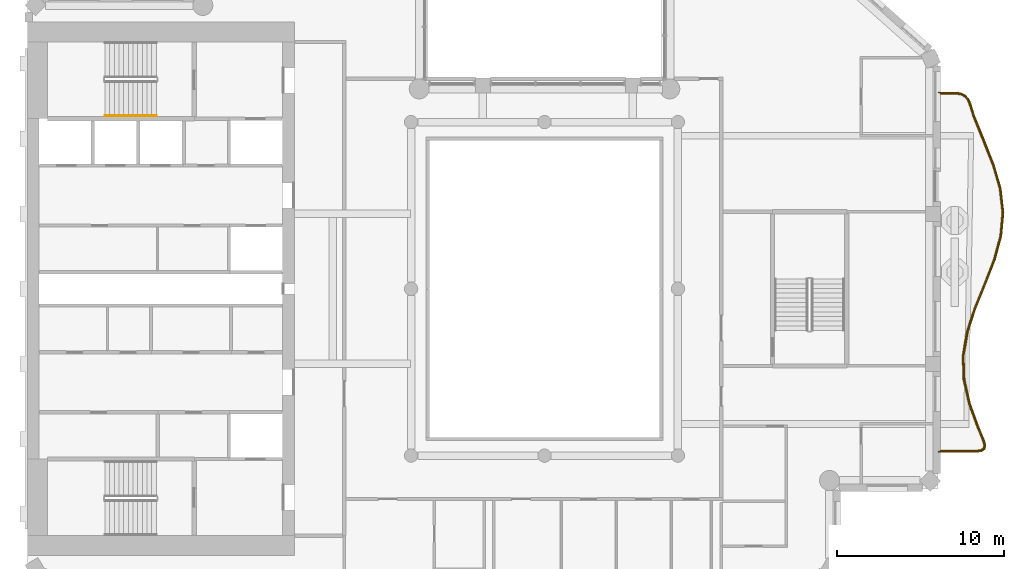
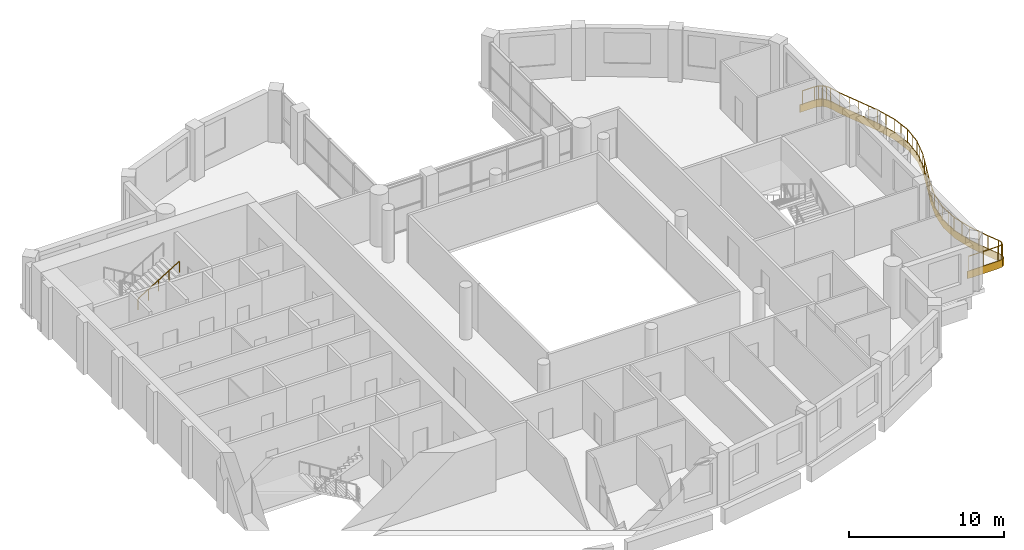
# One storey, part 12 of 14: 2 railings, 1 covering.
"""IFC4 building model written with IfcOpenShell, lengths in metres."""

from ifc_helpers import new_model, si_unit, direction, frame, origin, origin_2d, place, context, subcontext, project, spatial, polyline, rectangle, outline, extrude, material, layer, layer_set, type_object, element, save


model = new_model("IFC4")

# Units and contexts
model_context = context("Model", 3, precision=1e-05, world=origin(), true_north=direction((0.0, 1.0)))
body_context = subcontext(model_context, "Body", "Model", "MODEL_VIEW")
ifc_project = project(units=[si_unit("LENGTHUNIT", "METRE"), si_unit("AREAUNIT", "SQUARE_METRE"), si_unit("VOLUMEUNIT", "CUBIC_METRE"), si_unit("PLANEANGLEUNIT", "RADIAN"), si_unit("MASSUNIT", "GRAM", prefix="KILO")], contexts=[model_context])

# Site, building, storey
site_placement = place(None, origin())
site = spatial("IfcSite", under=ifc_project, at=site_placement, CompositionType="ELEMENT")
building_placement = place(site_placement, origin())
building = spatial("IfcBuilding", under=site, at=building_placement, Name="Cypress Arch Tower", CompositionType="ELEMENT")
storey_placement = place(building_placement, frame((0.0, 0.0, 325.39990234375)))
storey = spatial("IfcBuildingStorey", under=building, at=storey_placement, Name="L74", CompositionType="ELEMENT", Elevation=325.39990234375)

# Covering
ifc_material_1 = material(Name="White powder-coated aluminium fascia", Category="aluminium")
ifc_layer = layer(ifc_material_1, 0.050048828125)
ifc_layer_set = layer_set([ifc_layer], Name="Balcony fascia BF50")
covering_type = type_object("IfcCoveringType", Name="Balcony fascia BF50", PredefinedType="CLADDING", material=ifc_layer_set)
covering_placement = place(storey_placement, frame((0.0, 0.0, -0.599853515625)))
element("IfcCovering", 1, at=covering_placement, inside=storey, type_object=covering_type, Name="Balcony fascia L74-C17", PredefinedType="CLADDING", context=body_context, shape_type="SweptSolid", body=[
    extrude(outline(polyline([(25.64404296875, 11.800048828125), (25.9638671875, 11.75830078125), (26.228759765625, 11.629638671875), (26.4306640625, 11.41552734375), (26.566650390625, 11.123046875), (26.814697265625, 10.33349609375), (27.395263671875, 8.90185546875), (27.96533203125, 7.46630859375), (28.385009765625, 6.026611328125), (28.5498046875, 4.583984375), (28.418701171875, 3.14111328125), (28.0244140625, 1.700927734375), (27.46484375, 0.264892578125), (26.878173828125, -1.167236328125), (26.407470703125, -2.595458984375), (26.167236328125, -4.02001953125), (26.215087890625, -5.443603515625), (26.539794921875, -6.869140625), (27.06298828125, -8.298583984375), (27.390869140625, -9.089111328125), (27.468017578125, -9.386474609375), (27.41357421875, -9.618408203125), (27.22021484375, -9.757568359375), (26.915771484375, -9.800048828125), (24.60107421875, -9.800048828125), (24.60107421875, -9.75), (26.912353515625, -9.75), (27.201171875, -9.709716796875), (27.369140625, -9.5888671875), (27.41650390625, -9.38720703125), (27.34326171875, -9.10498046875), (27.016357421875, -8.316650390625), (26.491943359375, -6.88330078125), (26.165283203125, -5.449951171875), (26.116943359375, -4.0166015625), (26.358642578125, -2.583251953125), (26.8310546875, -1.14990234375), (27.41845703125, 0.283447265625), (27.976806640625, 1.716552734375), (28.369140625, 3.14990234375), (28.49951171875, 4.583251953125), (28.335693359375, 6.0166015625), (27.91796875, 7.449951171875), (27.348876953125, 8.88330078125), (26.767578125, 10.316650390625), (26.519775390625, 11.10498046875), (26.388916015625, 11.38720703125), (26.19873046875, 11.5888671875), (25.949462890625, 11.709716796875), (25.640869140625, 11.75), (24.60107421875, 11.75), (24.60107421875, 11.800048828125), (25.64404296875, 11.800048828125)])), origin(), (0.0, 0.0, 1.0), 0.599853515625),
])

# Railings
ifc_material_2 = material(Name="Powder-coated steel posts and rods, 100 mm clear between rods", Category="steel")
railing_type_1 = type_object("IfcRailingType", Name="Balcony guard GR1100", PredefinedType="GUARDRAIL", material=ifc_material_2)
railing_1_placement = place(storey_placement, frame((24.75, 11.699951171875, 0.0)))
element("IfcRailing", 2, at=railing_1_placement, inside=storey, type_object=railing_type_1, Name="Balcony guard L74-C17", PredefinedType="GUARDRAIL", context=body_context, shape_type="SweptSolid", body=[
    extrude(rectangle(XDim=0.050048828125, YDim=0.050048828125, at=origin_2d()), frame((0.0, 0.0, 1.0751953125), z_axis=(1.0, 0.0, 0.0), x_axis=(0.0, 1.0, 0.0)), (0.0, 0.0, 1.0), 0.8876953125),
    extrude(rectangle(XDim=0.050048828125, YDim=0.050048828125, at=origin_2d()), frame((0.8876953125, 0.0, 1.0751953125), z_axis=(0.991573129253, -0.12954817383, 0.0), x_axis=(0.12954817383, 0.991573129253, 0.0)), (0.0, 0.0, 1.0), 0.299560546875),
    extrude(rectangle(XDim=0.050048828125, YDim=0.050048828125, at=origin_2d()), frame((1.184814453125, -0.038818359375, 1.0751953125), z_axis=(0.899992841382, -0.43590467474, 0.0), x_axis=(0.43590467474, 0.899992841382, 0.0)), (0.0, 0.0, 1.0), 0.259765625),
    extrude(rectangle(XDim=0.050048828125, YDim=0.050048828125, at=origin_2d()), frame((1.418701171875, -0.152099609375, 1.0751953125), z_axis=(0.686126590577, -0.7274821659, 0.0), x_axis=(0.7274821659, 0.686126590577, 0.0)), (0.0, 0.0, 1.0), 0.259765625),
    extrude(rectangle(XDim=0.050048828125, YDim=0.050048828125, at=origin_2d()), frame((1.596923828125, -0.341064453125, 1.0751953125), z_axis=(0.420967760608, -0.907075600228, 0.0), x_axis=(0.907075600228, 0.420967760608, 0.0)), (0.0, 0.0, 1.0), 0.2998046875),
    extrude(rectangle(XDim=0.050048828125, YDim=0.050048828125, at=origin_2d()), frame((1.72314453125, -0.613037109375, 1.0751953125), z_axis=(0.300026630765, -0.95393082602, 0.0), x_axis=(0.95393082602, 0.300026630765, 0.0)), (0.0, 0.0, 1.0), 0.8251953125),
    extrude(rectangle(XDim=0.050048828125, YDim=0.050048828125, at=origin_2d()), frame((1.970703125, -1.400146484375, 1.0751953125), z_axis=(0.375708768396, -0.92673778457, 0.0), x_axis=(0.92673778457, 0.375708768396, 0.0)), (0.0, 0.0, 1.0), 1.548583984375),
    extrude(rectangle(XDim=0.050048828125, YDim=0.050048828125, at=origin_2d()), frame((2.552490234375, -2.835205078125, 1.0751953125), z_axis=(0.369010788967, -0.92942511136, 0.0), x_axis=(0.92942511136, 0.369010788967, 0.0)), (0.0, 0.0, 1.0), 1.53955078125),
    extrude(rectangle(XDim=0.050048828125, YDim=0.050048828125, at=origin_2d()), frame((3.12060546875, -4.26611328125, 1.0751953125), z_axis=(0.279880161806, -0.960034944691, 0.0), x_axis=(0.960034944691, 0.279880161806, 0.0)), (0.0, 0.0, 1.0), 1.486328125),
    extrude(rectangle(XDim=0.050048828125, YDim=0.050048828125, at=origin_2d()), frame((3.53662109375, -5.693115234375, 1.0751953125), z_axis=(0.113440905264, -0.99354474535, 0.0), x_axis=(0.99354474535, 0.113440905264, 0.0)), (0.0, 0.0, 1.0), 1.433349609375),
    extrude(rectangle(XDim=0.050048828125, YDim=0.050048828125, at=origin_2d()), frame((3.69921875, -7.1171875, 1.0751953125), z_axis=(-0.09050495248, -0.995896005402, 0.0), x_axis=(0.995896005402, -0.09050495248, 0.0)), (0.0, 0.0, 1.0), 1.4296875),
    extrude(rectangle(XDim=0.050048828125, YDim=0.050048828125, at=origin_2d()), frame((3.56982421875, -8.541015625, 1.0751953125), z_axis=(-0.264108945089, -0.964492853848, 0.0), x_axis=(0.964492853848, -0.264108945089, 0.0)), (0.0, 0.0, 1.0), 1.47900390625),
    extrude(rectangle(XDim=0.050048828125, YDim=0.050048828125, at=origin_2d()), frame((3.17919921875, -9.967529296875, 1.0751953125), z_axis=(-0.362929728688, -0.931816511999, 0.0), x_axis=(0.931816511999, -0.362929728688, 0.0)), (0.0, 0.0, 1.0), 1.53515625),
    extrude(rectangle(XDim=0.050048828125, YDim=0.050048828125, at=origin_2d()), frame((2.6220703125, -11.39794921875, 1.0751953125), z_axis=(-0.3791968939, -0.925316008538, 0.0), x_axis=(0.925316008538, -0.3791968939, 0.0)), (0.0, 0.0, 1.0), 1.55029296875),
    extrude(rectangle(XDim=0.050048828125, YDim=0.050048828125, at=origin_2d()), frame((2.0341796875, -12.83251953125, 1.0751953125), z_axis=(-0.312986464134, -0.949757586581, 0.0), x_axis=(0.949757586581, -0.312986464134, 0.0)), (0.0, 0.0, 1.0), 1.514892578125),
    extrude(rectangle(XDim=0.050048828125, YDim=0.050048828125, at=origin_2d()), frame((1.56005859375, -14.271240234375, 1.0751953125), z_axis=(-0.166266551895, -0.986080845428, 0.0), x_axis=(0.986080845428, -0.166266551895, 0.0)), (0.0, 0.0, 1.0), 1.46240234375),
    extrude(rectangle(XDim=0.050048828125, YDim=0.050048828125, at=origin_2d()), frame((1.31689453125, -15.71337890625, 1.0751953125), z_axis=(0.033646983963, -0.999433779933, 0.0), x_axis=(0.999433779933, 0.033646983963, 0.0)), (0.0, 0.0, 1.0), 1.44384765625),
    extrude(rectangle(XDim=0.050048828125, YDim=0.050048828125, at=origin_2d()), frame((1.365478515625, -17.156494140625, 1.0751953125), z_axis=(0.222192283155, -0.975002866307, 0.0), x_axis=(0.975002866307, 0.222192283155, 0.0)), (0.0, 0.0, 1.0), 1.477783203125),
    extrude(rectangle(XDim=0.050048828125, YDim=0.050048828125, at=origin_2d()), frame((1.69384765625, -18.597412109375, 1.0751953125), z_axis=(0.343701606413, -0.939078913484, 0.0), x_axis=(0.939078913484, 0.343701606413, 0.0)), (0.0, 0.0, 1.0), 1.53076171875),
    extrude(rectangle(XDim=0.050048828125, YDim=0.050048828125, at=origin_2d()), frame((2.219970703125, -20.034912109375, 1.0751953125), z_axis=(0.382841803498, -0.923813917136, 0.0), x_axis=(0.923813917136, 0.382841803498, 0.0)), (0.0, 0.0, 1.0), 0.8505859375),
    extrude(rectangle(XDim=0.050048828125, YDim=0.050048828125, at=origin_2d()), frame((2.545654296875, -20.82080078125, 1.0751953125), z_axis=(0.251484549767, -0.967861313014, 0.0), x_axis=(0.967861313014, 0.251484549767, 0.0)), (0.0, 0.0, 1.0), 0.275634765625),
    extrude(rectangle(XDim=0.050048828125, YDim=0.050048828125, at=origin_2d()), frame((2.614990234375, -21.087646484375, 1.0751953125), z_axis=(-0.228807450824, -0.97347169987, 0.0), x_axis=(0.97347169987, -0.228807450824, 0.0)), (0.0, 0.0, 1.0), 0.176025390625),
    extrude(rectangle(XDim=0.050048828125, YDim=0.050048828125, at=origin_2d()), frame((2.57470703125, -21.259033203125, 1.0751953125), z_axis=(-0.811665903253, -0.584121957725, 0.0), x_axis=(0.584121957725, -0.811665903253, 0.0)), (0.0, 0.0, 1.0), 0.176025390625),
    extrude(rectangle(XDim=0.050048828125, YDim=0.050048828125, at=origin_2d()), frame((2.431884765625, -21.36181640625, 1.0751953125), z_axis=(-0.990404895365, -0.138196031911, 0.0), x_axis=(0.138196031911, -0.990404895365, 0.0)), (0.0, 0.0, 1.0), 0.275634765625),
    extrude(rectangle(XDim=0.050048828125, YDim=0.050048828125, at=origin_2d()), frame((2.158935546875, -21.39990234375, 1.0751953125), z_axis=(-1.0, 0.0, 0.0), x_axis=(0.0, -1.0, 0.0)), (0.0, 0.0, 1.0), 2.158935546875),
    extrude(rectangle(XDim=0.0400390625, YDim=0.0400390625, at=origin_2d()), origin(), (0.0, 0.0, 1.0), 1.050048828125),
    extrude(rectangle(XDim=0.0400390625, YDim=0.0400390625, at=origin_2d()), frame((0.8876953125, 0.0, 0.0)), (0.0, 0.0, 1.0), 1.050048828125),
    extrude(rectangle(XDim=0.0400390625, YDim=0.0400390625, at=origin_2d()), frame((1.184814453125, -0.038818359375, 0.0)), (0.0, 0.0, 1.0), 1.050048828125),
    extrude(rectangle(XDim=0.0400390625, YDim=0.0400390625, at=origin_2d()), frame((1.418701171875, -0.152099609375, 0.0)), (0.0, 0.0, 1.0), 1.050048828125),
    extrude(rectangle(XDim=0.0400390625, YDim=0.0400390625, at=origin_2d()), frame((1.596923828125, -0.341064453125, 0.0)), (0.0, 0.0, 1.0), 1.050048828125),
    extrude(rectangle(XDim=0.0400390625, YDim=0.0400390625, at=origin_2d()), frame((1.72314453125, -0.613037109375, 0.0)), (0.0, 0.0, 1.0), 1.050048828125),
    extrude(rectangle(XDim=0.0400390625, YDim=0.0400390625, at=origin_2d()), frame((1.970703125, -1.400146484375, 0.0)), (0.0, 0.0, 1.0), 1.050048828125),
    extrude(rectangle(XDim=0.0400390625, YDim=0.0400390625, at=origin_2d()), frame((2.26171875, -2.11767578125, 0.0)), (0.0, 0.0, 1.0), 1.050048828125),
    extrude(rectangle(XDim=0.0400390625, YDim=0.0400390625, at=origin_2d()), frame((2.552490234375, -2.835205078125, 0.0)), (0.0, 0.0, 1.0), 1.050048828125),
    extrude(rectangle(XDim=0.0400390625, YDim=0.0400390625, at=origin_2d()), frame((2.83642578125, -3.55078125, 0.0)), (0.0, 0.0, 1.0), 1.050048828125),
    extrude(rectangle(XDim=0.0400390625, YDim=0.0400390625, at=origin_2d()), frame((3.12060546875, -4.26611328125, 0.0)), (0.0, 0.0, 1.0), 1.050048828125),
    extrude(rectangle(XDim=0.0400390625, YDim=0.0400390625, at=origin_2d()), frame((3.32861328125, -4.9794921875, 0.0)), (0.0, 0.0, 1.0), 1.050048828125),
    extrude(rectangle(XDim=0.0400390625, YDim=0.0400390625, at=origin_2d()), frame((3.53662109375, -5.693115234375, 0.0)), (0.0, 0.0, 1.0), 1.050048828125),
    extrude(rectangle(XDim=0.0400390625, YDim=0.0400390625, at=origin_2d()), frame((3.617919921875, -6.4052734375, 0.0)), (0.0, 0.0, 1.0), 1.050048828125),
    extrude(rectangle(XDim=0.0400390625, YDim=0.0400390625, at=origin_2d()), frame((3.69921875, -7.1171875, 0.0)), (0.0, 0.0, 1.0), 1.050048828125),
    extrude(rectangle(XDim=0.0400390625, YDim=0.0400390625, at=origin_2d()), frame((3.634521484375, -7.8291015625, 0.0)), (0.0, 0.0, 1.0), 1.050048828125),
    extrude(rectangle(XDim=0.0400390625, YDim=0.0400390625, at=origin_2d()), frame((3.56982421875, -8.541015625, 0.0)), (0.0, 0.0, 1.0), 1.050048828125),
    extrude(rectangle(XDim=0.0400390625, YDim=0.0400390625, at=origin_2d()), frame((3.37451171875, -9.25439453125, 0.0)), (0.0, 0.0, 1.0), 1.050048828125),
    extrude(rectangle(XDim=0.0400390625, YDim=0.0400390625, at=origin_2d()), frame((3.17919921875, -9.967529296875, 0.0)), (0.0, 0.0, 1.0), 1.050048828125),
    extrude(rectangle(XDim=0.0400390625, YDim=0.0400390625, at=origin_2d()), frame((2.900634765625, -10.6826171875, 0.0)), (0.0, 0.0, 1.0), 1.050048828125),
    extrude(rectangle(XDim=0.0400390625, YDim=0.0400390625, at=origin_2d()), frame((2.6220703125, -11.39794921875, 0.0)), (0.0, 0.0, 1.0), 1.050048828125),
    extrude(rectangle(XDim=0.0400390625, YDim=0.0400390625, at=origin_2d()), frame((2.328125, -12.115234375, 0.0)), (0.0, 0.0, 1.0), 1.050048828125),
    extrude(rectangle(XDim=0.0400390625, YDim=0.0400390625, at=origin_2d()), frame((2.0341796875, -12.83251953125, 0.0)), (0.0, 0.0, 1.0), 1.050048828125),
    extrude(rectangle(XDim=0.0400390625, YDim=0.0400390625, at=origin_2d()), frame((1.797119140625, -13.5517578125, 0.0)), (0.0, 0.0, 1.0), 1.050048828125),
    extrude(rectangle(XDim=0.0400390625, YDim=0.0400390625, at=origin_2d()), frame((1.56005859375, -14.271240234375, 0.0)), (0.0, 0.0, 1.0), 1.050048828125),
    extrude(rectangle(XDim=0.0400390625, YDim=0.0400390625, at=origin_2d()), frame((1.4384765625, -14.9921875, 0.0)), (0.0, 0.0, 1.0), 1.050048828125),
    extrude(rectangle(XDim=0.0400390625, YDim=0.0400390625, at=origin_2d()), frame((1.31689453125, -15.71337890625, 0.0)), (0.0, 0.0, 1.0), 1.050048828125),
    extrude(rectangle(XDim=0.0400390625, YDim=0.0400390625, at=origin_2d()), frame((1.34130859375, -16.43505859375, 0.0)), (0.0, 0.0, 1.0), 1.050048828125),
    extrude(rectangle(XDim=0.0400390625, YDim=0.0400390625, at=origin_2d()), frame((1.365478515625, -17.156494140625, 0.0)), (0.0, 0.0, 1.0), 1.050048828125),
    extrude(rectangle(XDim=0.0400390625, YDim=0.0400390625, at=origin_2d()), frame((1.52978515625, -17.876953125, 0.0)), (0.0, 0.0, 1.0), 1.050048828125),
    extrude(rectangle(XDim=0.0400390625, YDim=0.0400390625, at=origin_2d()), frame((1.69384765625, -18.597412109375, 0.0)), (0.0, 0.0, 1.0), 1.050048828125),
    extrude(rectangle(XDim=0.0400390625, YDim=0.0400390625, at=origin_2d()), frame((1.95703125, -19.316162109375, 0.0)), (0.0, 0.0, 1.0), 1.050048828125),
    extrude(rectangle(XDim=0.0400390625, YDim=0.0400390625, at=origin_2d()), frame((2.219970703125, -20.034912109375, 0.0)), (0.0, 0.0, 1.0), 1.050048828125),
    extrude(rectangle(XDim=0.0400390625, YDim=0.0400390625, at=origin_2d()), frame((2.545654296875, -20.82080078125, 0.0)), (0.0, 0.0, 1.0), 1.050048828125),
    extrude(rectangle(XDim=0.0400390625, YDim=0.0400390625, at=origin_2d()), frame((2.614990234375, -21.087646484375, 0.0)), (0.0, 0.0, 1.0), 1.050048828125),
    extrude(rectangle(XDim=0.0400390625, YDim=0.0400390625, at=origin_2d()), frame((2.57470703125, -21.259033203125, 0.0)), (0.0, 0.0, 1.0), 1.050048828125),
    extrude(rectangle(XDim=0.0400390625, YDim=0.0400390625, at=origin_2d()), frame((2.431884765625, -21.36181640625, 0.0)), (0.0, 0.0, 1.0), 1.050048828125),
    extrude(rectangle(XDim=0.0400390625, YDim=0.0400390625, at=origin_2d()), frame((2.158935546875, -21.39990234375, 0.0)), (0.0, 0.0, 1.0), 1.050048828125),
    extrude(rectangle(XDim=0.0400390625, YDim=0.0400390625, at=origin_2d()), frame((1.07958984375, -21.39990234375, 0.0)), (0.0, 0.0, 1.0), 1.050048828125),
    extrude(rectangle(XDim=0.0400390625, YDim=0.0400390625, at=origin_2d()), frame((0.0, -21.39990234375, 0.0)), (0.0, 0.0, 1.0), 1.050048828125),
])
ifc_material_3 = material(Name="Black powder-coated steel square bar 48 mm", Category="steel")
railing_type_2 = type_object("IfcRailingType", Name="Stair handrail HR1", PredefinedType="HANDRAIL", material=ifc_material_3)
railing_2_placement = place(storey_placement, frame((-25.35498046875, 10.375, 2.220947265625)))
element("IfcRailing", 3, at=railing_2_placement, inside=storey, type_object=railing_type_2, Name="L74 B stair handrail 2", PredefinedType="HANDRAIL", context=body_context, shape_type="SweptSolid", body=[
    extrude(rectangle(XDim=0.048095703125, YDim=0.048095703125, at=origin_2d()), frame((0.0, 0.0, 0.8759765625), z_axis=(0.853666305674, 0.0, 0.52082035152), x_axis=(0.0, 1.0, 0.0)), (0.0, 0.0, 1.0), 3.608154296875),
    extrude(rectangle(XDim=0.0419921875, YDim=0.0419921875, at=origin_2d()), origin(), (0.0, 0.0, 1.0), 0.851806640625),
    extrude(rectangle(XDim=0.0419921875, YDim=0.0419921875, at=origin_2d()), frame((0.77001953125, 0.0, 0.4697265625)), (0.0, 0.0, 1.0), 0.851806640625),
    extrude(rectangle(XDim=0.0419921875, YDim=0.0419921875, at=origin_2d()), frame((1.5400390625, 0.0, 0.939453125)), (0.0, 0.0, 1.0), 0.851806640625),
    extrude(rectangle(XDim=0.0419921875, YDim=0.0419921875, at=origin_2d()), frame((2.31005859375, 0.0, 1.409423828125)), (0.0, 0.0, 1.0), 0.851806640625),
    extrude(rectangle(XDim=0.0419921875, YDim=0.0419921875, at=origin_2d()), frame((3.080078125, 0.0, 1.879150390625)), (0.0, 0.0, 1.0), 0.851806640625),
])

save(model, "model.ifc")
